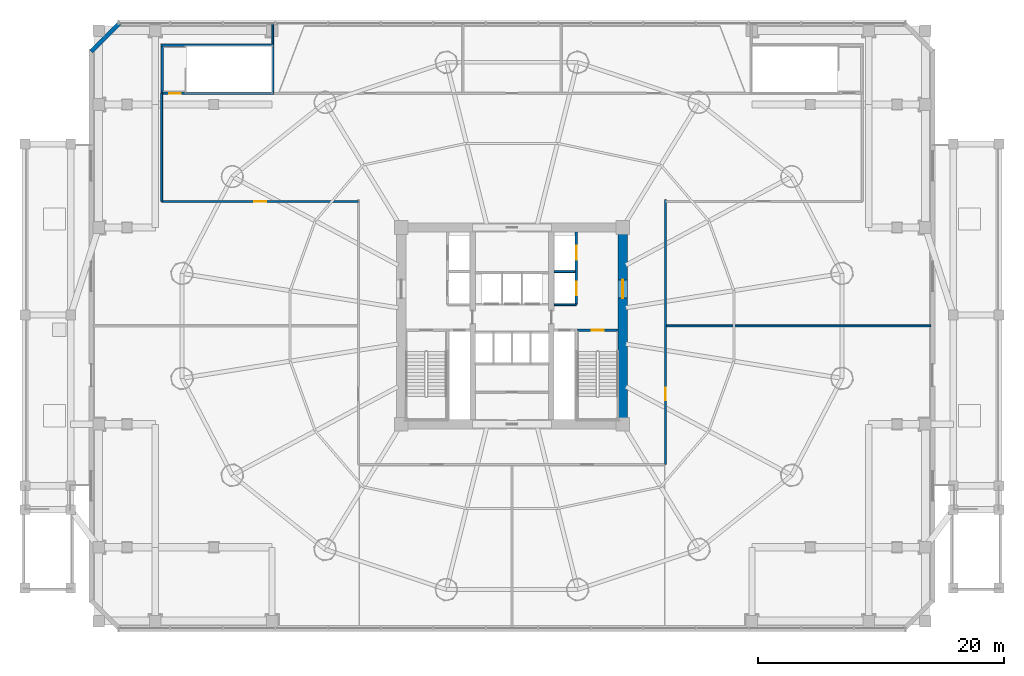
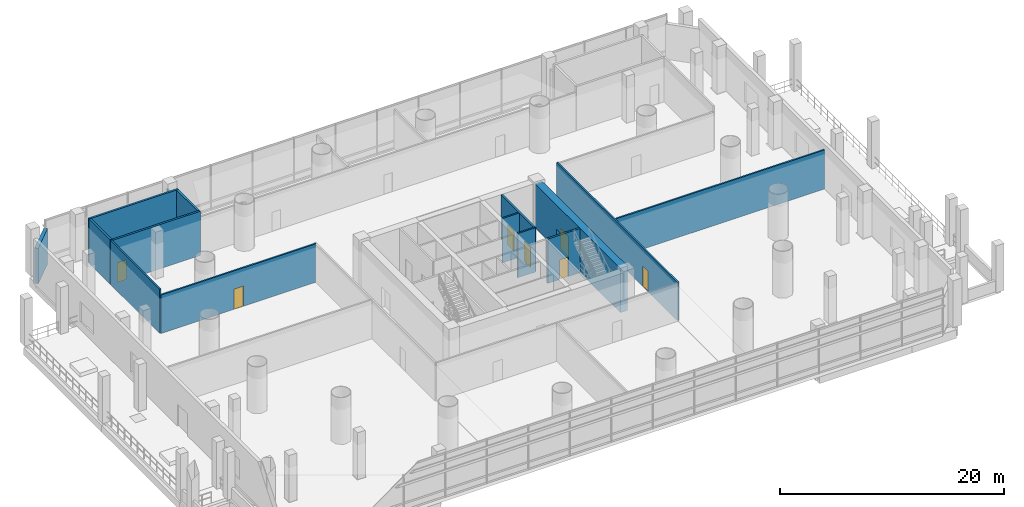
# One storey, part 22 of 31: 15 walls, 7 doors, 7 openings.
"""IFC4 building model written with IfcOpenShell, lengths in metres."""

from ifc_helpers import new_model, si_unit, direction, frame, frame_2d, origin, place, context, subcontext, project, spatial, rectangle, extrude, source, transform, mapped, material, layer, layer_set, type_object, element, fill, save


model = new_model("IFC4")

# Units and contexts
model_context = context("Model", 3, precision=1e-05, world=origin(), true_north=direction((-0.2419218956, 0.970295726276)))
body_context = subcontext(model_context, "Body", "Model", "MODEL_VIEW")
ifc_project = project(units=[si_unit("LENGTHUNIT", "METRE"), si_unit("AREAUNIT", "SQUARE_METRE"), si_unit("VOLUMEUNIT", "CUBIC_METRE"), si_unit("PLANEANGLEUNIT", "RADIAN"), si_unit("MASSUNIT", "GRAM", prefix="KILO")], contexts=[model_context])

# Site, building, storey
site_placement = place(None, origin())
site = spatial("IfcSite", under=ifc_project, at=site_placement, CompositionType="ELEMENT")
building_placement = place(site_placement, origin())
building = spatial("IfcBuilding", under=site, at=building_placement, Name="Cobrevalo Terracotta Tower", CompositionType="ELEMENT")
storey_placement = place(building_placement, frame((0.0, 0.0, 18.89990234375)))
storey = spatial("IfcBuildingStorey", under=building, at=storey_placement, Name="L04", CompositionType="ELEMENT", Elevation=18.89990234375)

# Wall
ifc_material_1 = material(Name="Concrete C45", Category="concrete")
ifc_layer_1 = layer(ifc_material_1, 0.35009765625)
ifc_layer_set_1 = layer_set([ifc_layer_1], Name="Concrete C45")
wall_type_1 = type_object("IfcWallType", Name="Board-marked precast architectural concrete facade wall 350 mm", PredefinedType="SOLIDWALL", material=ifc_layer_set_1)
wall_1_placement = place(storey_placement, frame((6.080078125, 51.39990234375, 0.0), z_axis=(0.0, 0.0, 1.0), x_axis=(-0.707144639935, -0.707068920411, 0.0)))
element("IfcWall", 1, at=wall_1_placement, inside=storey, type_object=wall_type_1, Name="L04 chamfered corner pier NW", PredefinedType="SOLIDWALL", context=body_context, shape_type="SweptSolid", body=[
    extrude(rectangle(XDim=3.224365234375, YDim=0.35009765625, at=frame_2d((1.6123046875, 0.0))), origin(), (0.0, 0.0, 1.0), 3.85498046875),
])

# Wall, opening, door
ifc_material_2 = material(Name="Concrete C60", Category="concrete")
ifc_layer_2 = layer(ifc_material_2, 0.75)
ifc_layer_set_2 = layer_set([ifc_layer_2], Name="Concrete C60")
wall_type_2 = type_object("IfcWallType", Name="Core shear wall 750 mm Concrete C60", PredefinedType="SHEAR", material=ifc_layer_set_2)
wall_2_placement = place(storey_placement, frame((47.0, 19.175048828125, 0.0), z_axis=(0.0, 0.0, 1.0), x_axis=(0.0, 1.0, 0.0)))
wall_2 = element("IfcWall", 2, at=wall_2_placement, inside=storey, type_object=wall_type_2, Name="L04 east core shear wall", PredefinedType="SHEAR", context=body_context, shape_type="SweptSolid", body=[
    extrude(rectangle(XDim=15.25, YDim=0.75, at=frame_2d((7.625, 0.0))), origin(), (0.0, 0.0, 1.0), 4.820068359375),
])
opening_1_placement = place(wall_2_placement, frame((9.875, 0.0, 0.0)))
opening_1 = element("IfcOpeningElement", 3, at=opening_1_placement, cuts=wall_2, Name="Opening ID-14", PredefinedType="OPENING", context=body_context, shape_type="SweptSolid", body=[
    extrude(rectangle(XDim=1.5, YDim=2.199951171875, at=frame_2d((0.75, 1.10009765625))), frame((0.0, 0.385009765625, 0.0), z_axis=(0.0, -1.0, 0.0), x_axis=(1.0, 0.0, 0.0)), (0.0, 0.0, 1.0), 0.77001953125),
])
ifc_material_3 = material(Name="Galvanized fire-rated steel", Category="steel")
door_type_1 = type_object("IfcDoorType", Name="Core cross-lobby double fire door 1500x2200 EI 90", OperationType="NOTDEFINED", PredefinedType="DOOR", material=ifc_material_3)
shared_shape_1 = source(origin(), body_context, "Body", "SweptSolid", [
    extrude(rectangle(XDim=1.5, YDim=2.199951171875, at=frame_2d((0.75, 1.10009765625))), frame((0.0, 0.02490234375, 0.0), z_axis=(0.0, -1.0, 0.0), x_axis=(1.0, 0.0, 0.0)), (0.0, 0.0, 1.0), 0.050048828125),
])
door_1_placement = place(opening_1_placement, frame((1.5, 0.0, 0.0), z_axis=(0.0, 0.0, 1.0), x_axis=(-1.0, 0.0, 0.0)))
door_1 = element("IfcDoor", 4, at=door_1_placement, inside=storey, type_object=door_type_1, Name="L04 east firefighting lobby entrance door", OperationType="DOUBLE_DOOR_SINGLE_SWING", OverallHeight=2.199951171875, OverallWidth=1.5, PredefinedType="DOOR", context=body_context, shape_type="MappedRepresentation", body=[
    mapped(shared_shape_1, transform((0.0, 0.0, 0.0), scale=1.0)),
])
fill(opening_1, door_1)

# Walls
ifc_material_4 = material(Name="Gypsum board on steel stud", Category="steel")
ifc_layer_3 = layer(ifc_material_4, 0.159912109375)
ifc_layer_set_3 = layer_set([ifc_layer_3], Name="Gypsum board on steel stud")
wall_type_3 = type_object("IfcWallType", Name="Fire-rated corridor acoustic partition wall 160 mm", PredefinedType="PARTITIONING", material=ifc_layer_set_3)
wall_3_placement = place(storey_placement, frame((41.425048828125, 31.219970703125, 0.0), z_axis=(0.0, 0.0, 1.0), x_axis=(1.0, 0.0, 0.0)))
element("IfcWall", 5, at=wall_3_placement, inside=storey, type_object=wall_type_3, Name="L04 interior partition IW-L04-FF2-M", PredefinedType="PARTITIONING", context=body_context, shape_type="SweptSolid", body=[
    extrude(rectangle(XDim=1.71484375, YDim=0.159912109375, at=frame_2d((0.857421875, 0.0))), origin(), (0.0, 0.0, 1.0), 4.820068359375),
])
wall_4_placement = place(storey_placement, frame((41.425048828125, 28.52001953125, 0.0), z_axis=(0.0, 0.0, 1.0), x_axis=(1.0, 0.0, 0.0)))
element("IfcWall", 6, at=wall_4_placement, inside=storey, type_object=wall_type_3, Name="L04 interior partition IW-L04-FF2-S", PredefinedType="PARTITIONING", context=body_context, shape_type="SweptSolid", body=[
    extrude(rectangle(XDim=1.804931640625, YDim=0.159912109375, at=frame_2d((0.90234375, 0.0))), origin(), (0.0, 0.0, 1.0), 4.820068359375),
])

# Wall, opening, door
wall_5_placement = place(storey_placement, frame((50.47998046875, 15.52001953125, 0.0), z_axis=(0.0, 0.0, 1.0), x_axis=(0.0, 1.0, 0.0)))
wall_5 = element("IfcWall", 7, at=wall_5_placement, inside=storey, type_object=wall_type_3, Name="L04 interior partition IW-L04-PC-E", PredefinedType="PARTITIONING", context=body_context, shape_type="SweptSolid", body=[
    extrude(rectangle(XDim=21.56005859375, YDim=0.159912109375, at=frame_2d((10.780029296875, 0.0))), origin(), (0.0, 0.0, 1.0), 4.18798828125),
])
opening_2_placement = place(wall_5_placement, frame((5.25439453125, 0.0, 0.0)))
opening_2 = element("IfcOpeningElement", 8, at=opening_2_placement, cuts=wall_5, Name="Opening ID-05", PredefinedType="OPENING", context=body_context, shape_type="SweptSolid", body=[
    extrude(rectangle(XDim=0.97998046875, YDim=2.199951171875, at=frame_2d((0.489990234375, 1.10009765625))), frame((0.0, 0.08984375, 0.0), z_axis=(0.0, -1.0, 0.0), x_axis=(1.0, 0.0, 0.0)), (0.0, 0.0, 1.0), 0.179931640625),
])
ifc_material_5 = material(Name="Solid hardwood timber", Category="wood")
door_type_2 = type_object("IfcDoorType", Name="Residence entrance fire-rated acoustic timber door 980x2200 EI 60", OperationType="NOTDEFINED", PredefinedType="DOOR", material=ifc_material_5)
shared_shape_2 = source(origin(), body_context, "Body", "SweptSolid", [
    extrude(rectangle(XDim=0.97998046875, YDim=2.199951171875, at=frame_2d((0.489990234375, 1.10009765625))), frame((0.0, 0.02490234375, 0.0), z_axis=(0.0, -1.0, 0.0), x_axis=(1.0, 0.0, 0.0)), (0.0, 0.0, 1.0), 0.050048828125),
])
door_2_placement = place(opening_2_placement, frame((0.97998046875, 0.0, 0.0), z_axis=(0.0, 0.0, 1.0), x_axis=(-1.0, 0.0, 0.0)))
door_2 = element("IfcDoor", 9, at=door_2_placement, inside=storey, type_object=door_type_2, Name="L04 Garden Tea Pavilion door", OperationType="SINGLE_SWING_LEFT", OverallHeight=2.199951171875, OverallWidth=0.97998046875, PredefinedType="DOOR", context=body_context, shape_type="MappedRepresentation", body=[
    mapped(shared_shape_2, transform((0.0, 0.0, 0.0), scale=1.0)),
])
fill(opening_2, door_2)

wall_6_placement = place(storey_placement, frame((9.52001953125, 36.919921875, 0.0), z_axis=(0.0, 0.0, 1.0), x_axis=(1.0, 0.0, 0.0)))
wall_6 = element("IfcWall", 10, at=wall_6_placement, inside=storey, type_object=wall_type_3, Name="L04 interior partition IW-L04-PC-SW", PredefinedType="PARTITIONING", context=body_context, shape_type="SweptSolid", body=[
    extrude(rectangle(XDim=16.0, YDim=0.159912109375, at=frame_2d((8.0, 0.0))), origin(), (0.0, 0.0, 1.0), 4.18798828125),
])
opening_3_placement = place(wall_6_placement, frame((7.510009765625, 0.0, 0.0)))
opening_3 = element("IfcOpeningElement", 11, at=opening_3_placement, cuts=wall_6, Name="Opening ID-05", PredefinedType="OPENING", context=body_context, shape_type="SweptSolid", body=[
    extrude(rectangle(XDim=0.97998046875, YDim=2.199951171875, at=frame_2d((0.489990234375, 1.10009765625))), frame((0.0, 0.08984375, 0.0), z_axis=(0.0, -1.0, 0.0), x_axis=(1.0, 0.0, 0.0)), (0.0, 0.0, 1.0), 0.179931640625),
])
door_3_placement = place(opening_3_placement, frame((0.97998046875, 0.0, 0.0), z_axis=(0.0, 0.0, 1.0), x_axis=(-1.0, 0.0, 0.0)))
door_3 = element("IfcDoor", 12, at=door_3_placement, inside=storey, type_object=door_type_2, Name="L04 East Botanical Conservatory door", OperationType="SINGLE_SWING_RIGHT", OverallHeight=2.199951171875, OverallWidth=0.97998046875, PredefinedType="DOOR", context=body_context, shape_type="MappedRepresentation", body=[
    mapped(shared_shape_2, transform((0.0, 0.0, 0.0), scale=1.0)),
])
fill(opening_3, door_3)

# Walls
wall_7_placement = place(storey_placement, frame((9.52001953125, 36.919921875, 0.0), z_axis=(0.0, 0.0, 1.0), x_axis=(0.0, 1.0, 0.0)))
element("IfcWall", 13, at=wall_7_placement, inside=storey, type_object=wall_type_3, Name="L04 interior partition IW-L04-PC-NW", PredefinedType="PARTITIONING", context=body_context, shape_type="SweptSolid", body=[
    extrude(rectangle(XDim=8.780029296875, YDim=0.159912109375, at=frame_2d((4.39013671875, 0.0))), origin(), (0.0, 0.0, 1.0), 4.820068359375),
])
wall_8_placement = place(storey_placement, frame((50.56201171875, 26.800048828125, 0.0), z_axis=(0.0, 0.0, 1.0), x_axis=(1.0, 0.0, 0.0)))
element("IfcWall", 14, at=wall_8_placement, inside=storey, type_object=wall_type_3, Name="L04 interior partition IW-L04-PE-M", PredefinedType="PARTITIONING", context=body_context, shape_type="SweptSolid", body=[
    extrude(rectangle(XDim=21.47802734375, YDim=0.159912109375, at=frame_2d((10.739013671875, 0.0))), origin(), (0.0, 0.0, 1.0), 4.26220703125),
])
wall_9_placement = place(storey_placement, frame((18.550048828125, 49.721923828125, 0.0), z_axis=(0.0, 0.0, 1.0), x_axis=(0.0, 1.0, 0.0)))
element("IfcWall", 15, at=wall_9_placement, inside=storey, type_object=wall_type_3, Name="L04 interior partition IW-L04-PN-W", PredefinedType="PARTITIONING", context=body_context, shape_type="SweptSolid", body=[
    extrude(rectangle(XDim=1.63818359375, YDim=0.159912109375, at=frame_2d((0.819091796875, 0.0))), origin(), (0.0, 0.0, 1.0), 3.85498046875),
])

# Wall, openings, doors
ifc_layer_4 = layer(ifc_material_4, 0.179931640625)
ifc_layer_set_4 = layer_set([ifc_layer_4], Name="Gypsum board on steel stud")
wall_type_4 = type_object("IfcWallType", Name="Fire-rated shaft & lobby acoustic partition wall 180 mm", PredefinedType="PARTITIONING", material=ifc_layer_set_4)
wall_10_placement = place(storey_placement, frame((43.22998046875, 28.52001953125, 0.0), z_axis=(0.0, 0.0, 1.0), x_axis=(0.0, 1.0, 0.0)))
wall_10 = element("IfcWall", 16, at=wall_10_placement, inside=storey, type_object=wall_type_4, Name="L04 interior partition IW-L04-FF2-E", PredefinedType="PARTITIONING", context=body_context, shape_type="SweptSolid", body=[
    extrude(rectangle(XDim=5.905029296875, YDim=0.179931640625, at=frame_2d((2.95263671875, 0.0))), origin(), (0.0, 0.0, 1.0), 4.820068359375),
])
opening_4_placement = place(wall_10_placement, frame((3.655029296875, 0.0, 0.0)))
opening_4 = element("IfcOpeningElement", 17, at=opening_4_placement, cuts=wall_10, Name="Opening LD-02", PredefinedType="OPENING", context=body_context, shape_type="SweptSolid", body=[
    extrude(rectangle(XDim=1.14990234375, YDim=2.199951171875, at=frame_2d((0.574951171875, 1.10009765625))), frame((0.0, 0.10009765625, 0.0), z_axis=(0.0, -1.0, 0.0), x_axis=(1.0, 0.0, 0.0)), (0.0, 0.0, 1.0), 0.199951171875),
])
opening_5_placement = place(wall_10_placement, frame((0.780029296875, 0.0, 0.0)))
opening_5 = element("IfcOpeningElement", 18, at=opening_5_placement, cuts=wall_10, Name="Opening LD-01", PredefinedType="OPENING", context=body_context, shape_type="SweptSolid", body=[
    extrude(rectangle(XDim=1.10009765625, YDim=2.199951171875, at=frame_2d((0.550048828125, 1.10009765625))), frame((0.0, 0.10009765625, 0.0), z_axis=(0.0, -1.0, 0.0), x_axis=(1.0, 0.0, 0.0)), (0.0, 0.0, 1.0), 0.199951171875),
])
ifc_material_6 = material(Name="Brushed stainless steel", Category="steel")
door_type_3 = type_object("IfcDoorType", Name="Firefighting lift landing bi-parting sliding door 1150x2200 EI 120", OperationType="DOUBLE_DOOR_SLIDING", PredefinedType="DOOR", material=ifc_material_6)
shared_shape_3 = source(origin(), body_context, "Body", "SweptSolid", [
    extrude(rectangle(XDim=1.14990234375, YDim=2.199951171875, at=frame_2d((0.574951171875, 1.10009765625))), frame((0.0, 0.02490234375, 0.0), z_axis=(0.0, -1.0, 0.0), x_axis=(1.0, 0.0, 0.0)), (0.0, 0.0, 1.0), 0.050048828125),
])
door_4_placement = place(opening_4_placement, origin())
door_4 = element("IfcDoor", 19, at=door_4_placement, inside=storey, type_object=door_type_3, Name="L04 lift landing door FF-2", OperationType="DOUBLE_DOOR_SLIDING", OverallHeight=2.199951171875, OverallWidth=1.14990234375, PredefinedType="DOOR", context=body_context, shape_type="MappedRepresentation", body=[
    mapped(shared_shape_3, transform((0.0, 0.0, 0.0), scale=1.0)),
])
fill(opening_4, door_4)
door_type_4 = type_object("IfcDoorType", Name="Passenger lift landing bi-parting sliding door 1100x2200 EI 90", OperationType="DOUBLE_DOOR_SLIDING", PredefinedType="DOOR", material=ifc_material_6)
shared_shape_4 = source(origin(), body_context, "Body", "SweptSolid", [
    extrude(rectangle(XDim=1.10009765625, YDim=2.199951171875, at=frame_2d((0.550048828125, 1.10009765625))), frame((0.0, 0.02490234375, 0.0), z_axis=(0.0, -1.0, 0.0), x_axis=(1.0, 0.0, 0.0)), (0.0, 0.0, 1.0), 0.050048828125),
])
door_5_placement = place(opening_5_placement, origin())
door_5 = element("IfcDoor", 20, at=door_5_placement, inside=storey, type_object=door_type_4, Name="L04 lift landing door PL-P1", OperationType="DOUBLE_DOOR_SLIDING", OverallHeight=2.199951171875, OverallWidth=1.10009765625, PredefinedType="DOOR", context=body_context, shape_type="MappedRepresentation", body=[
    mapped(shared_shape_4, transform((0.0, 0.0, 0.0), scale=1.0)),
])
fill(opening_5, door_5)

# Wall, opening, door
ifc_material_7 = material(Name="Concrete C50", Category="concrete")
ifc_layer_5 = layer(ifc_material_7, 0.199951171875)
ifc_layer_set_5 = layer_set([ifc_layer_5], Name="Concrete C50")
wall_type_5 = type_object("IfcWallType", Name="Structural core & podium stair-shaft RC wall 200 mm Concrete C50", PredefinedType="SOLIDWALL", material=ifc_layer_set_5)
wall_11_placement = place(storey_placement, frame((43.304931640625, 26.449951171875, 0.0), z_axis=(0.0, 0.0, 1.0), x_axis=(1.0, 0.0, 0.0)))
wall_11 = element("IfcWall", 21, at=wall_11_placement, inside=storey, type_object=wall_type_5, Name="L04 ST-2 north structural shaft wall", PredefinedType="SOLIDWALL", context=body_context, shape_type="SweptSolid", body=[
    extrude(rectangle(XDim=3.320068359375, YDim=0.199951171875, at=frame_2d((1.66015625, 0.0))), origin(), (0.0, 0.0, 1.0), 4.820068359375),
])
opening_6_placement = place(wall_11_placement, frame((1.18505859375, 0.0, 0.0)))
opening_6 = element("IfcOpeningElement", 22, at=opening_6_placement, cuts=wall_11, Name="Opening ID-04", PredefinedType="OPENING", context=body_context, shape_type="SweptSolid", body=[
    extrude(rectangle(XDim=0.949951171875, YDim=2.14990234375, at=frame_2d((0.47509765625, 1.074951171875))), frame((0.0, 0.10986328125, 0.0), z_axis=(0.0, -1.0, 0.0), x_axis=(1.0, 0.0, 0.0)), (0.0, 0.0, 1.0), 0.219970703125),
])
door_type_5 = type_object("IfcDoorType", Name="Stair & firefighting lobby fire door 950x2150 EI 90", OperationType="NOTDEFINED", PredefinedType="DOOR", material=ifc_material_3)
shared_shape_5 = source(origin(), body_context, "Body", "SweptSolid", [
    extrude(rectangle(XDim=0.949951171875, YDim=2.14990234375, at=frame_2d((0.47509765625, 1.074951171875))), frame((0.0, 0.02490234375, 0.0), z_axis=(0.0, -1.0, 0.0), x_axis=(1.0, 0.0, 0.0)), (0.0, 0.0, 1.0), 0.050048828125),
])
door_6_placement = place(opening_6_placement, frame((0.949951171875, 0.0, 0.0), z_axis=(0.0, 0.0, 1.0), x_axis=(-1.0, 0.0, 0.0)))
door_6 = element("IfcDoor", 23, at=door_6_placement, inside=storey, type_object=door_type_5, Name="L04 protected stair ST2 fire door", OperationType="SINGLE_SWING_RIGHT", OverallHeight=2.14990234375, OverallWidth=0.949951171875, PredefinedType="DOOR", context=body_context, shape_type="MappedRepresentation", body=[
    mapped(shared_shape_5, transform((0.0, 0.0, 0.0), scale=1.0)),
])
fill(opening_6, door_6)

wall_12_placement = place(storey_placement, frame((9.449951171875, 45.699951171875, 0.0), z_axis=(0.0, 0.0, 1.0), x_axis=(1.0, 0.0, 0.0)))
wall_12 = element("IfcWall", 24, at=wall_12_placement, inside=storey, type_object=wall_type_5, Name="L04 STP1 south structural shaft wall", PredefinedType="SOLIDWALL", context=body_context, shape_type="SweptSolid", body=[
    extrude(rectangle(XDim=9.199951171875, YDim=0.199951171875, at=frame_2d((4.60009765625, 0.0))), origin(), (0.0, 0.0, 1.0), 4.820068359375),
])
opening_7_placement = place(wall_12_placement, frame((0.675048828125, 0.0, 0.0)))
opening_7 = element("IfcOpeningElement", 25, at=opening_7_placement, cuts=wall_12, Name="Opening ID-04", PredefinedType="OPENING", context=body_context, shape_type="SweptSolid", body=[
    extrude(rectangle(XDim=0.949951171875, YDim=2.14990234375, at=frame_2d((0.47509765625, 1.074951171875))), frame((0.0, 0.10986328125, 0.0), z_axis=(0.0, -1.0, 0.0), x_axis=(1.0, 0.0, 0.0)), (0.0, 0.0, 1.0), 0.219970703125),
])
door_7_placement = place(opening_7_placement, frame((0.949951171875, 0.0, 0.0), z_axis=(0.0, 0.0, 1.0), x_axis=(-1.0, 0.0, 0.0)))
door_7 = element("IfcDoor", 26, at=door_7_placement, inside=storey, type_object=door_type_5, Name="L04 podium exit stair STP1 fire door", OperationType="SINGLE_SWING_LEFT", OverallHeight=2.14990234375, OverallWidth=0.949951171875, PredefinedType="DOOR", context=body_context, shape_type="MappedRepresentation", body=[
    mapped(shared_shape_5, transform((0.0, 0.0, 0.0), scale=1.0)),
])
fill(opening_7, door_7)

# Walls
wall_13_placement = place(storey_placement, frame((9.449951171875, 49.6201171875, 0.0), z_axis=(0.0, 0.0, 1.0), x_axis=(1.0, 0.0, 0.0)))
element("IfcWall", 27, at=wall_13_placement, inside=storey, type_object=wall_type_5, Name="L04 STP1 north structural shaft wall", PredefinedType="SOLIDWALL", context=body_context, shape_type="SweptSolid", body=[
    extrude(rectangle(XDim=9.199951171875, YDim=0.199951171875, at=frame_2d((4.60009765625, 0.0))), origin(), (0.0, 0.0, 1.0), 4.820068359375),
])
for number, where, z_axis, x_axis, name in (
    (28, (9.550048828125, 45.800048828125, 0.0), (0.0, 0.0, 1.0), (0.0, 1.0, 0.0), "L04 STP1 west structural shaft wall"),
    (29, (18.550048828125, 45.800048828125, 0.0), (0.0, 0.0, 1.0), (0.0, 1.0, 0.0), "L04 STP1 east structural shaft wall"),
):
    element("IfcWall", number, at=place(storey_placement, frame(where, z_axis=z_axis, x_axis=x_axis)), inside=storey, type_object=wall_type_5, Name=name, PredefinedType="SOLIDWALL", context=body_context, shape_type="SweptSolid", body=[
        extrude(rectangle(XDim=3.719970703125, YDim=0.199951171875, at=frame_2d((1.85986328125, 0.0))), origin(), (0.0, 0.0, 1.0), 4.820068359375),
    ])

save(model, "model.ifc")
